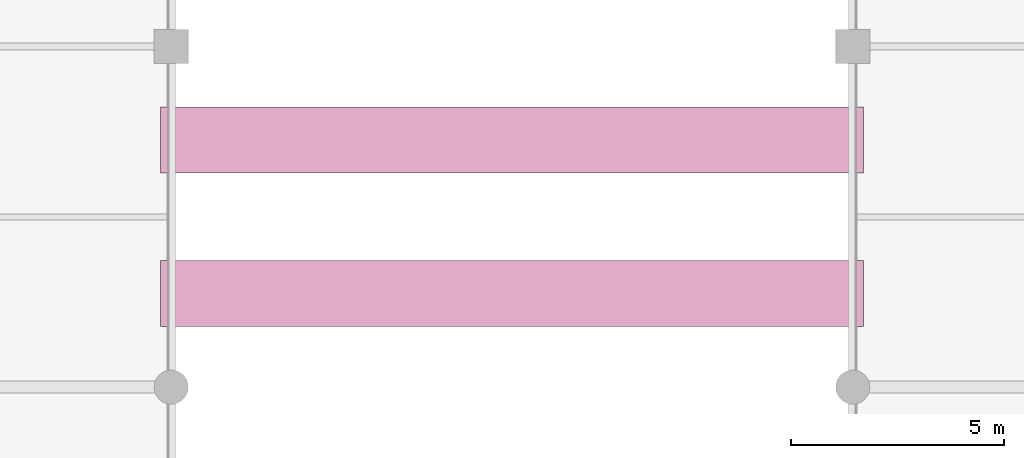
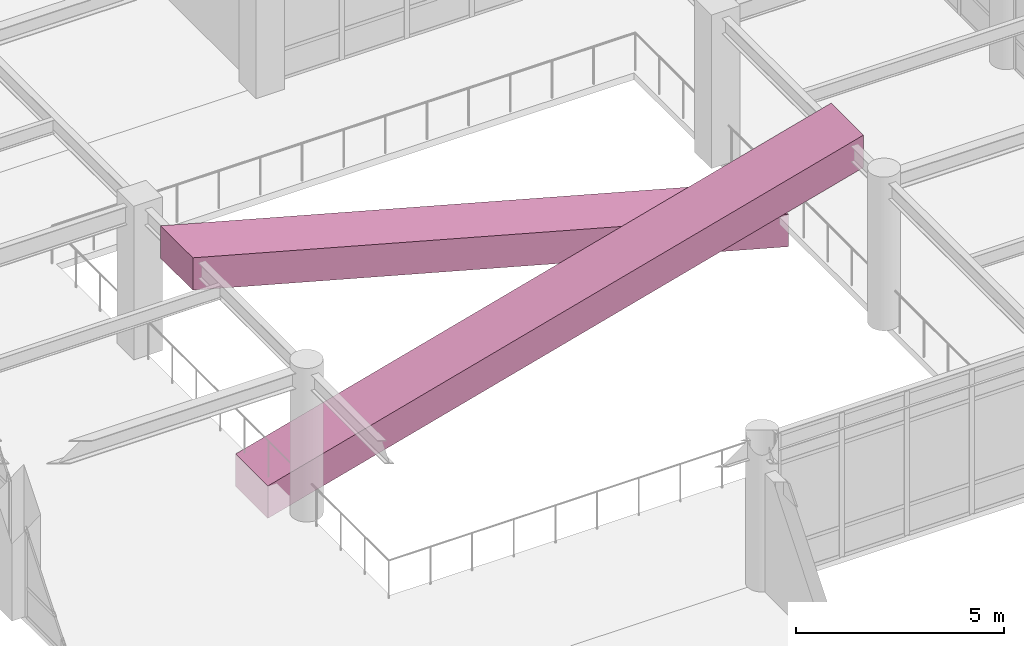
# One storey, part 75 of 75: 2 transport elements.
"""IFC4 building model written with IfcOpenShell, lengths in metres."""

from ifc_helpers import new_model, si_unit, direction, frame, origin, place, context, subcontext, project, spatial, polyline, outline, extrude, material, type_object, element, save


model = new_model("IFC4")

# Units and contexts
model_context = context("Model", 3, precision=1e-05, world=origin(), true_north=direction((0.0, 1.0)))
body_context = subcontext(model_context, "Body", "Model", "MODEL_VIEW")
ifc_project = project(units=[si_unit("LENGTHUNIT", "METRE"), si_unit("AREAUNIT", "SQUARE_METRE"), si_unit("VOLUMEUNIT", "CUBIC_METRE"), si_unit("PLANEANGLEUNIT", "RADIAN"), si_unit("MASSUNIT", "GRAM", prefix="KILO")], contexts=[model_context])

# Site, building, storey
site_placement = place(None, origin())
site = spatial("IfcSite", under=ifc_project, at=site_placement, CompositionType="ELEMENT")
building_placement = place(site_placement, origin())
building = spatial("IfcBuilding", under=site, at=building_placement, Name="Solmirada Galleria", CompositionType="ELEMENT")
storey_placement = place(building_placement, frame((0.0, 0.0, 19.39990234375)))
storey = spatial("IfcBuildingStorey", under=building, at=storey_placement, Name="L04", CompositionType="ELEMENT", Elevation=19.39990234375)

# Transport elements
ifc_material = material(Name="Stainless-steel and stone elevator cab", Category="masonry")
transport_element_type = type_object("IfcTransportElementType", Name="ESC-ATRIUM-1000", PredefinedType="ESCALATOR", material=ifc_material)
for number, where, z_axis, x_axis, name in (
    (1, (87.85009765625, 58.199951171875, 0.0), (0.0, 0.0, 1.0), (1.0, 0.0, 0.0), "Atrium escalator L04 UP"),
    (2, (104.14990234375, 61.800048828125, 0.0), (0.0, 0.0, 1.0), (-1.0, 0.0, 0.0), "Atrium escalator L04 DN"),
):
    element("IfcTransportElement", number, at=place(storey_placement, frame(where, z_axis=z_axis, x_axis=x_axis)), inside=storey, type_object=transport_element_type, Name=name, PredefinedType="ESCALATOR", context=body_context, shape_type="SweptSolid", body=[
        extrude(outline(polyline([(-0.10009765625, 0.0), (16.400146484375, 4.5), (16.400146484375, 3.550048828125), (-0.10009765625, -0.949951171875), (-0.10009765625, 0.0)])), frame((0.0, 0.77490234375, 0.0), z_axis=(0.0, -1.0, 0.0), x_axis=(1.0, 0.0, 0.0)), (0.0, 0.0, 1.0), 1.550048828125),
    ])

save(model, "model.ifc")
